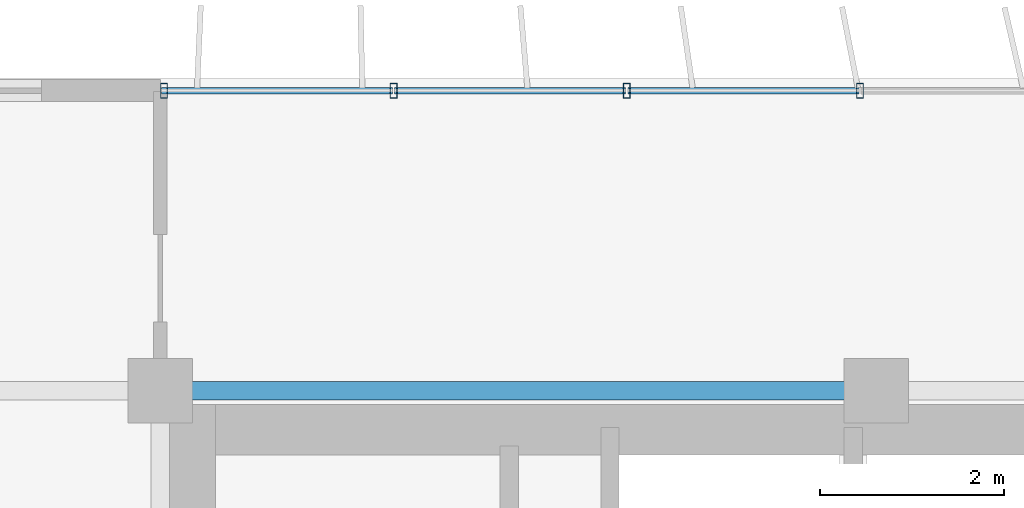
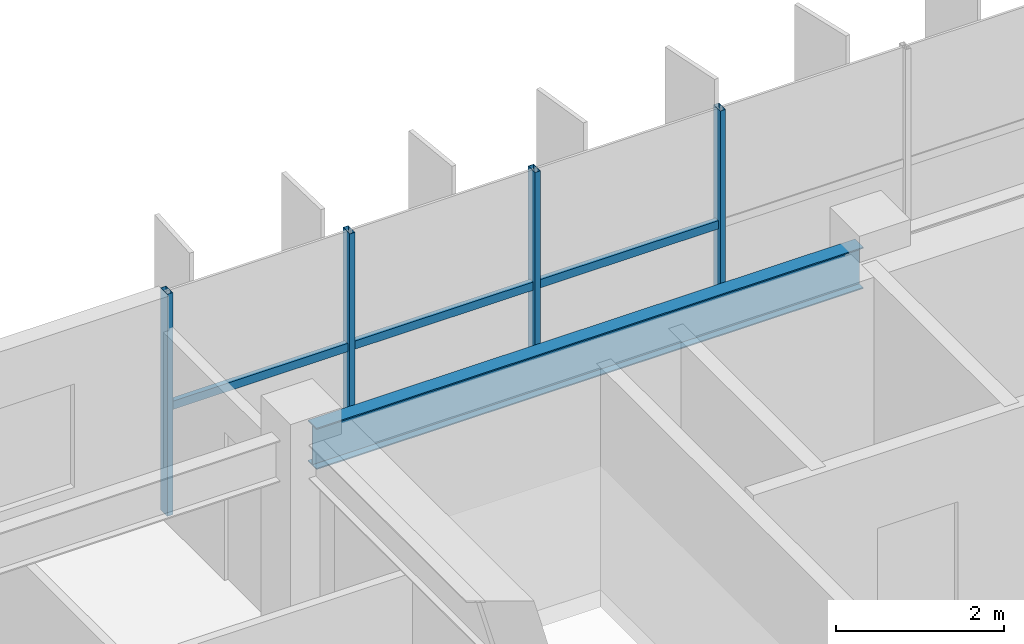
# One storey, part 7 of 24: 7 members, 1 beam, 1 element without a shape of its own.
"""IFC4 building model written with IfcOpenShell, lengths in metres."""

from ifc_helpers import new_model, si_unit, direction, frame, origin, origin_2d, place, context, subcontext, project, spatial, hollow_rectangle, i_section, extrude, source, transform, mapped, material, material_profile, profile_set, type_object, element, aggregate, save


model = new_model("IFC4")

# Units and contexts
model_context = context("Model", 3, precision=1e-05, world=origin(), true_north=direction((0.0, 1.0)))
body_context = subcontext(model_context, "Body", "Model", "MODEL_VIEW")
ifc_project = project(units=[si_unit("LENGTHUNIT", "METRE"), si_unit("AREAUNIT", "SQUARE_METRE"), si_unit("VOLUMEUNIT", "CUBIC_METRE"), si_unit("PLANEANGLEUNIT", "RADIAN"), si_unit("MASSUNIT", "GRAM", prefix="KILO")], contexts=[model_context])

# Site, building, storey
site_placement = place(None, origin())
site = spatial("IfcSite", under=ifc_project, at=site_placement, CompositionType="ELEMENT")
building_placement = place(site_placement, origin())
building = spatial("IfcBuilding", under=site, at=building_placement, Name="Trelvane Seafront Commons", CompositionType="ELEMENT")
storey_placement = place(building_placement, frame((0.0, 0.0, 178.89990234375)))
storey = spatial("IfcBuildingStorey", under=building, at=storey_placement, Name="L47", CompositionType="ELEMENT", Elevation=178.89990234375)

# Beam
ifc_material_1 = material(Name="Steel SM355 (S355)", Category="steel")
ifc_material_profile_1 = material_profile(ifc_material_1, i_section(OverallWidth=0.199951171875, OverallDepth=0.60009765625, WebThickness=0.010986328125, FlangeThickness=0.01708984375, at=origin_2d()), Name="H-600x200x11x17")
ifc_profile_set_1 = profile_set([ifc_material_profile_1], Name="Steel SM355 (S355)")
beam_type = type_object("IfcBeamType", Name="STR-SPD-H600", PredefinedType="SPANDREL", material=ifc_profile_set_1)
shared_shape_1 = source(origin(), body_context, "Body", "SweptSolid", [
    extrude(i_section(OverallWidth=0.199951171875, OverallDepth=0.60009765625, WebThickness=0.010986328125, FlangeThickness=0.01708984375, at=origin_2d()), origin(), (0.0, 0.0, 1.0), 7.5),
])
beam_placement = place(storey_placement, frame((15.75, 45.10009765625, 2.920166015625), z_axis=(1.0, 0.0, 0.0), x_axis=(0.0, 1.0, 0.0)))
element("IfcBeam", 1, at=beam_placement, inside=storey, type_object=beam_type, Name="L47 Primary Girder G-23", PredefinedType="SPANDREL", context=body_context, shape_type="MappedRepresentation", body=[
    mapped(shared_shape_1, transform((0.0, 0.0, 0.0), x_axis=(1.0, 0.0, 0.0), y_axis=(0.0, 1.0, 0.0), z_axis=(0.0, 0.0, 1.0), scale=1.0)),
])

# Curtain wall, members
ifc_material_2 = material(Name="Anodised pale-silver aluminium", Category="aluminium")
curtain_wall_type = type_object("IfcCurtainWallType", Name="ARCH-CW5-UPTOWER", PredefinedType="NOTDEFINED", material=ifc_material_2)
curtain_wall_placement = place(storey_placement, origin())
curtain_wall = element("IfcCurtainWall", 2, at=curtain_wall_placement, inside=storey, type_object=curtain_wall_type, Name="CW-L47-0075", PredefinedType="NOTDEFINED")
ifc_material_profile_2 = material_profile(ifc_material_2, hollow_rectangle(XDim=0.070068359375, YDim=0.1201171875, WallThickness=0.00390625, at=origin_2d()), Name="TRAN-70x120x4")
ifc_profile_set_2 = profile_set([ifc_material_profile_2], Name="Anodised pale-silver aluminium")
member_type_1 = type_object("IfcMemberType", Name="ARCH-CW-TRAN-120", PredefinedType="USERDEFINED", material=ifc_profile_set_2)
shared_shape_2 = source(origin(), body_context, "Body", "SweptSolid", [
    extrude(hollow_rectangle(XDim=0.070068359375, YDim=0.1201171875, WallThickness=0.00390625, at=origin_2d()), origin(), (0.0, 0.0, 1.0), 2.51708984375),
])
member_1_placement = place(storey_placement, frame((15.612060546875, 48.3701171875, 1.546142578125), z_axis=(1.0, 0.0, 0.0), x_axis=(0.0, 1.0, 0.0)))
member_1 = element("IfcMember", 3, at=member_1_placement, type_object=member_type_1, Name="CW-L47-0075-T00", ObjectType="TRANSOM", PredefinedType="USERDEFINED", context=body_context, shape_type="MappedRepresentation", body=[
    mapped(shared_shape_2, transform((0.0, 0.0, 0.0), x_axis=(1.0, 0.0, 0.0), y_axis=(0.0, 1.0, 0.0), z_axis=(0.0, 0.0, 1.0), scale=1.0)),
])
member_2_placement = place(storey_placement, frame((18.1533203125, 48.3701171875, 1.546142578125), z_axis=(1.0, 0.0, 0.0), x_axis=(0.0, 1.0, 0.0)))
member_2 = element("IfcMember", 4, at=member_2_placement, type_object=member_type_1, Name="CW-L47-0075-T01", ObjectType="TRANSOM", PredefinedType="USERDEFINED", context=body_context, shape_type="MappedRepresentation", body=[
    mapped(shared_shape_2, transform((0.0, 0.0, 0.0), x_axis=(1.0, 0.0, 0.0), y_axis=(0.0, 1.0, 0.0), z_axis=(0.0, 0.0, 1.0), scale=1.0)),
])
member_3_placement = place(storey_placement, frame((20.6943359375, 48.3701171875, 1.546142578125), z_axis=(1.0, 0.0, 0.0), x_axis=(0.0, 1.0, 0.0)))
member_3 = element("IfcMember", 5, at=member_3_placement, type_object=member_type_1, Name="CW-L47-0075-T02", ObjectType="TRANSOM", PredefinedType="USERDEFINED", context=body_context, shape_type="MappedRepresentation", body=[
    mapped(shared_shape_2, transform((0.0, 0.0, 0.0), x_axis=(1.0, 0.0, 0.0), y_axis=(0.0, 1.0, 0.0), z_axis=(0.0, 0.0, 1.0), scale=1.0)),
])
ifc_material_profile_3 = material_profile(ifc_material_2, hollow_rectangle(XDim=0.074951171875, YDim=0.159912109375, WallThickness=0.00390625, at=origin_2d()), Name="MULL-75x160x4")
ifc_profile_set_3 = profile_set([ifc_material_profile_3], Name="Anodised pale-silver aluminium")
member_type_2 = type_object("IfcMemberType", Name="ARCH-CW-MULL-160", PredefinedType="MULLION", material=ifc_profile_set_3)
shared_shape_3 = source(origin(), body_context, "Body", "SweptSolid", [
    extrude(hollow_rectangle(XDim=0.074951171875, YDim=0.159912109375, WallThickness=0.00390625, at=origin_2d()), origin(), (0.0, 0.0, 1.0), 3.22021484375),
])
member_4_placement = place(storey_placement, frame((15.639892578125, 48.3701171875, 0.0), z_axis=(0.0, 0.0, 1.0), x_axis=(1.0, 0.0, 0.0)))
member_4 = element("IfcMember", 6, at=member_4_placement, type_object=member_type_2, Name="CW-L47-0075-M00", PredefinedType="MULLION", context=body_context, shape_type="MappedRepresentation", body=[
    mapped(shared_shape_3, transform((0.0, 0.0, 0.0), x_axis=(1.0, 0.0, 0.0), y_axis=(0.0, 1.0, 0.0), z_axis=(0.0, 0.0, 1.0), scale=1.0)),
])
member_5_placement = place(storey_placement, frame((18.14111328125, 48.3701171875, 0.0), z_axis=(0.0, 0.0, 1.0), x_axis=(1.0, 0.0, 0.0)))
member_5 = element("IfcMember", 7, at=member_5_placement, type_object=member_type_2, Name="CW-L47-0075-M01", PredefinedType="MULLION", context=body_context, shape_type="MappedRepresentation", body=[
    mapped(shared_shape_3, transform((0.0, 0.0, 0.0), x_axis=(1.0, 0.0, 0.0), y_axis=(0.0, 1.0, 0.0), z_axis=(0.0, 0.0, 1.0), scale=1.0)),
])
member_6_placement = place(storey_placement, frame((20.682373046875, 48.3701171875, 0.0), z_axis=(0.0, 0.0, 1.0), x_axis=(1.0, 0.0, 0.0)))
member_6 = element("IfcMember", 8, at=member_6_placement, type_object=member_type_2, Name="CW-L47-0075-M02", PredefinedType="MULLION", context=body_context, shape_type="MappedRepresentation", body=[
    mapped(shared_shape_3, transform((0.0, 0.0, 0.0), x_axis=(1.0, 0.0, 0.0), y_axis=(0.0, 1.0, 0.0), z_axis=(0.0, 0.0, 1.0), scale=1.0)),
])
member_7_placement = place(storey_placement, frame((23.223388671875, 48.3701171875, 0.0), z_axis=(0.0, 0.0, 1.0), x_axis=(1.0, 0.0, 0.0)))
member_7 = element("IfcMember", 9, at=member_7_placement, type_object=member_type_2, Name="CW-L47-0075-M03", PredefinedType="MULLION", context=body_context, shape_type="MappedRepresentation", body=[
    mapped(shared_shape_3, transform((0.0, 0.0, 0.0), x_axis=(1.0, 0.0, 0.0), y_axis=(0.0, 1.0, 0.0), z_axis=(0.0, 0.0, 1.0), scale=1.0)),
])
aggregate(curtain_wall, [member_4, member_5, member_6, member_7, member_1, member_2, member_3])

save(model, "model.ifc")
